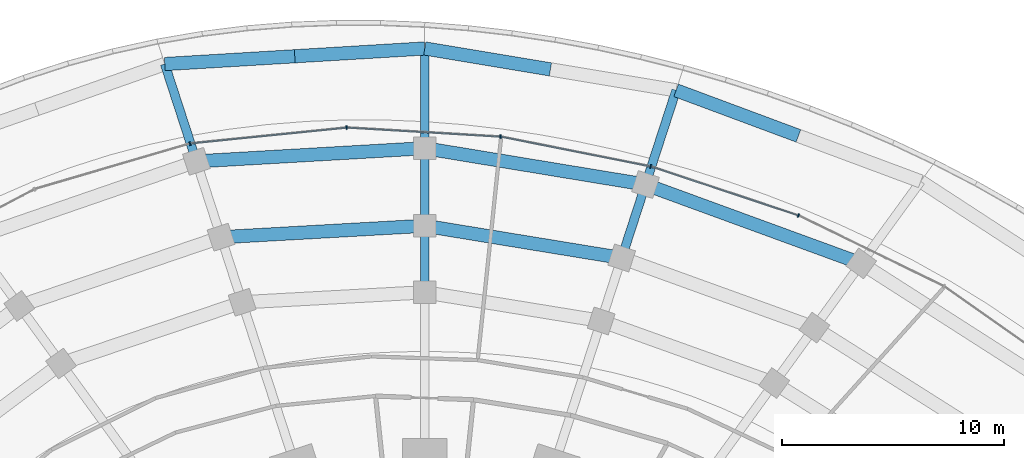
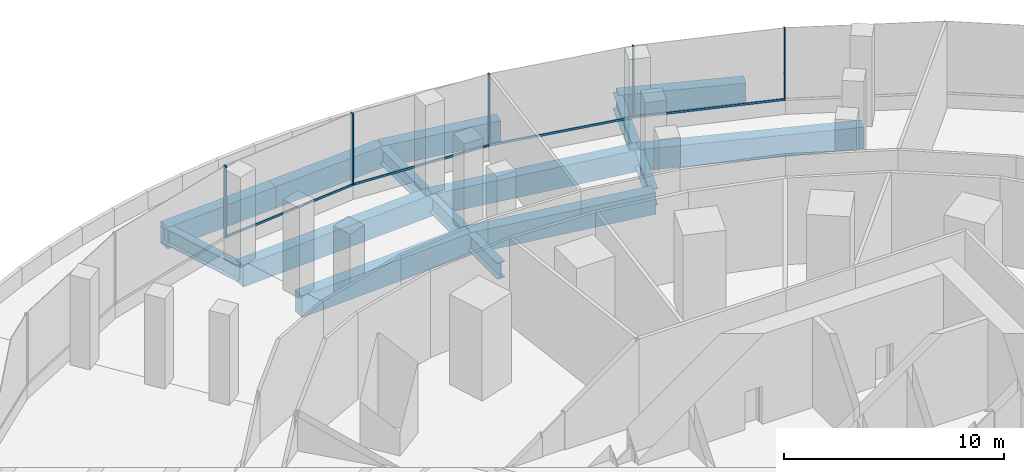
# One storey, part 17 of 31: 15 beams, 9 members, 1 element without a shape of its own.
"""IFC4 building model written with IfcOpenShell, lengths in metres."""

from ifc_helpers import new_model, si_unit, direction, frame, origin, origin_2d, place, context, subcontext, project, spatial, rectangle, i_section, extrude, material, material_profile, profile_set, type_object, element, aggregate, save


model = new_model("IFC4")

# Units and contexts
model_context = context("Model", 3, precision=1e-05, world=origin(), true_north=direction((0.0, 1.0)))
body_context = subcontext(model_context, "Body", "Model", "MODEL_VIEW")
ifc_project = project(units=[si_unit("LENGTHUNIT", "METRE"), si_unit("AREAUNIT", "SQUARE_METRE"), si_unit("VOLUMEUNIT", "CUBIC_METRE"), si_unit("PLANEANGLEUNIT", "RADIAN"), si_unit("MASSUNIT", "GRAM", prefix="KILO")], contexts=[model_context])

# Site, building, storey
site_placement = place(None, origin())
site = spatial("IfcSite", under=ifc_project, at=site_placement, CompositionType="ELEMENT")
building_placement = place(site_placement, origin())
building = spatial("IfcBuilding", under=site, at=building_placement, Name="Marramba Exchange Tower", CompositionType="ELEMENT")
storey_placement = place(building_placement, frame((0.0, 0.0, 5.60009765625)))
storey = spatial("IfcBuildingStorey", under=building, at=storey_placement, Name="L01", CompositionType="ELEMENT", Elevation=5.60009765625)

# Beams
ifc_material_1 = material(Name="Concrete N50", Category="concrete")
ifc_material_profile_1 = material_profile(ifc_material_1, rectangle(XDim=0.60009765625, YDim=1.199951171875, at=origin_2d()), Name="RC 600x1200")
ifc_profile_set_1 = profile_set([ifc_material_profile_1], Name="Concrete N50")
beam_type_1 = type_object("IfcBeamType", Name="Edge beam RC 600x1200 N50", PredefinedType="SPANDREL", material=ifc_profile_set_1)
beam_1_placement = place(storey_placement, frame((16.861572265625, 32.857177734375, -0.85009765625), z_axis=(-0.937168261872, 0.348877699115, 0.0), x_axis=(-0.348877699115, -0.937168261872, 0.0)))
element("IfcBeam", 1, at=beam_1_placement, inside=storey, type_object=beam_type_1, Name="Edge beam L01 P0C04 half 2", PredefinedType="SPANDREL", context=body_context, shape_type="SweptSolid", body=[
    extrude(rectangle(XDim=0.60009765625, YDim=1.199951171875, at=origin_2d()), origin(), (0.0, 0.0, 1.0), 5.887939453125),
])
beam_2_placement = place(storey_placement, frame((5.671630859375, 35.855712890625, -0.85009765625), z_axis=(-0.98642030603, 0.164240615717, 0.0), x_axis=(-0.164240615717, -0.98642030603, 0.0)))
element("IfcBeam", 2, at=beam_2_placement, inside=storey, type_object=beam_type_1, Name="Edge beam L01 P0C05 half 2", PredefinedType="SPANDREL", context=body_context, shape_type="SweptSolid", body=[
    extrude(rectangle(XDim=0.60009765625, YDim=1.199951171875, at=origin_2d()), origin(), (0.0, 0.0, 1.0), 5.749755859375),
])
beam_3_placement = place(storey_placement, frame((0.0, 36.800048828125, -0.85009765625), z_axis=(-0.998210307217, -0.05980119201, 0.0), x_axis=(0.05980119201, -0.998210307217, 0.0)))
element("IfcBeam", 3, at=beam_3_placement, inside=storey, type_object=beam_type_1, Name="Edge beam L01 P0C06 half 1", PredefinedType="SPANDREL", context=body_context, shape_type="SweptSolid", body=[
    extrude(rectangle(XDim=0.60009765625, YDim=1.199951171875, at=origin_2d()), origin(), (0.0, 0.0, 1.0), 5.874755859375),
])
beam_4_placement = place(storey_placement, frame((-5.8642578125, 36.44873046875, -0.85009765625), z_axis=(-0.998210455825, -0.059798711375, 0.0), x_axis=(0.059798711375, -0.998210455825, 0.0)))
element("IfcBeam", 4, at=beam_4_placement, inside=storey, type_object=beam_type_1, Name="Edge beam L01 P0C06 half 2", PredefinedType="SPANDREL", context=body_context, shape_type="SweptSolid", body=[
    extrude(rectangle(XDim=0.60009765625, YDim=1.199951171875, at=origin_2d()), origin(), (0.0, 0.0, 1.0), 5.875),
])
beam_5_placement = place(storey_placement, frame((19.691650390625, 27.103271484375, -0.800048828125), z_axis=(-0.939206472346, 0.343352883057, 0.0), x_axis=(-0.343352883057, -0.939206472346, 0.0)))
element("IfcBeam", 5, at=beam_5_placement, inside=storey, type_object=beam_type_1, Name="Edge beam L01 P1C04", PredefinedType="SPANDREL", context=body_context, shape_type="SweptSolid", body=[
    extrude(rectangle(XDim=0.60009765625, YDim=1.199951171875, at=origin_2d()), origin(), (0.0, 0.0, 1.0), 10.359375),
])
beam_6_placement = place(storey_placement, frame((9.962158203125, 30.66015625, -0.800048828125), z_axis=(-0.986720687671, 0.16242624333, 0.0), x_axis=(-0.16242624333, -0.986720687671, 0.0)))
element("IfcBeam", 6, at=beam_6_placement, inside=storey, type_object=beam_type_1, Name="Edge beam L01 P1C05", PredefinedType="SPANDREL", context=body_context, shape_type="SweptSolid", body=[
    extrude(rectangle(XDim=0.60009765625, YDim=1.199951171875, at=origin_2d()), origin(), (0.0, 0.0, 1.0), 10.09619140625),
])
beam_7_placement = place(storey_placement, frame((0.0, 32.300048828125, -0.800048828125), z_axis=(-0.99834326258, -0.057538943873, 0.0), x_axis=(0.057538943873, -0.99834326258, 0.0)))
element("IfcBeam", 7, at=beam_7_placement, inside=storey, type_object=beam_type_1, Name="Edge beam L01 P1C06", PredefinedType="SPANDREL", context=body_context, shape_type="SweptSolid", body=[
    extrude(rectangle(XDim=0.60009765625, YDim=1.199951171875, at=origin_2d()), origin(), (0.0, 0.0, 1.0), 10.319091796875),
])
beam_8_placement = place(storey_placement, frame((8.8857421875, 27.347412109375, -0.800048828125), z_axis=(-0.986899242558, 0.161337797923, 0.0), x_axis=(-0.161337797923, -0.986899242558, 0.0)))
element("IfcBeam", 8, at=beam_8_placement, inside=storey, type_object=beam_type_1, Name="Edge beam L01 P2C05", PredefinedType="SPANDREL", context=body_context, shape_type="SweptSolid", body=[
    extrude(rectangle(XDim=0.60009765625, YDim=1.199951171875, at=origin_2d()), origin(), (0.0, 0.0, 1.0), 9.003662109375),
])
beam_9_placement = place(storey_placement, frame((0.0, 28.800048828125, -0.800048828125), z_axis=(-0.998431244986, -0.055991508598, 0.0), x_axis=(0.055991508598, -0.998431244986, 0.0)))
element("IfcBeam", 9, at=beam_9_placement, inside=storey, type_object=beam_type_1, Name="Edge beam L01 P2C06", PredefinedType="SPANDREL", context=body_context, shape_type="SweptSolid", body=[
    extrude(rectangle(XDim=0.60009765625, YDim=1.199951171875, at=origin_2d()), origin(), (0.0, 0.0, 1.0), 9.20458984375),
])

# Curtain wall, members
ifc_material_2 = material(Name="Aluminium framing, bronze anodised", Category="aluminium")
curtain_wall_type = type_object("IfcCurtainWallType", Name="Podium ribbon curtain wall", PredefinedType="USERDEFINED", material=ifc_material_2)
curtain_wall_placement = place(storey_placement, origin())
curtain_wall = element("IfcCurtainWall", 10, at=curtain_wall_placement, inside=storey, type_object=curtain_wall_type, Name="Curtain wall CW2 L01 F06-F10", ObjectType="RIBBON CURTAIN WALL", PredefinedType="USERDEFINED")
ifc_material_3 = material(Name="Aluminium mullion, bronze anodised", Category="aluminium")
ifc_material_profile_2 = material_profile(ifc_material_3, rectangle(XDim=0.159912109375, YDim=0.06005859375, at=origin_2d()), Name="CW2 mullion 60x160")
ifc_profile_set_2 = profile_set([ifc_material_profile_2], Name="Aluminium mullion, bronze anodised")
member_type_1 = type_object("IfcMemberType", Name="Podium ribbon curtain wall mullion", PredefinedType="MULLION", material=ifc_profile_set_2)
member_1_placement = place(storey_placement, frame((16.86083984375, 29.262451171875, 0.7998046875), z_axis=(0.0, 0.0, 1.0), x_axis=(-0.315474367855, -0.948934098463, 0.0)))
member_1 = element("IfcMember", 11, at=member_1_placement, type_object=member_type_1, Name="CW2 mullion 1", PredefinedType="MULLION", context=body_context, shape_type="SweptSolid", body=[
    extrude(rectangle(XDim=0.159912109375, YDim=0.06005859375, at=origin_2d()), origin(), (0.0, 0.0, 1.0), 4.0),
])
member_2_placement = place(storey_placement, frame((10.1953125, 31.474609375, 0.7998046875), z_axis=(0.0, 0.0, 1.0), x_axis=(-0.195119672541, -0.980779441764, 0.0)))
member_2 = element("IfcMember", 12, at=member_2_placement, type_object=member_type_1, Name="CW2 mullion 1", PredefinedType="MULLION", context=body_context, shape_type="SweptSolid", body=[
    extrude(rectangle(XDim=0.159912109375, YDim=0.06005859375, at=origin_2d()), origin(), (0.0, 0.0, 1.0), 4.0),
])
member_3_placement = place(storey_placement, frame((3.419189453125, 32.818359375, 0.7998046875), z_axis=(0.0, 0.0, 1.0), x_axis=(-0.059317210151, -0.998239184054, 0.0)))
member_3 = element("IfcMember", 13, at=member_3_placement, type_object=member_type_1, Name="CW2 mullion 1", PredefinedType="MULLION", context=body_context, shape_type="SweptSolid", body=[
    extrude(rectangle(XDim=0.159912109375, YDim=0.06005859375, at=origin_2d()), origin(), (0.0, 0.0, 1.0), 4.0),
])
member_4_placement = place(storey_placement, frame((-3.5224609375, 33.22607421875, 0.7998046875), z_axis=(0.0, 0.0, 1.0), x_axis=(0.100505866042, -0.994936465756, 0.0)))
member_4 = element("IfcMember", 14, at=member_4_placement, type_object=member_type_1, Name="CW2 mullion 1", PredefinedType="MULLION", context=body_context, shape_type="SweptSolid", body=[
    extrude(rectangle(XDim=0.159912109375, YDim=0.06005859375, at=origin_2d()), origin(), (0.0, 0.0, 1.0), 4.0),
])
member_5_placement = place(storey_placement, frame((-10.593505859375, 32.50634765625, 0.7998046875), z_axis=(0.0, 0.0, 1.0), x_axis=(0.280940154671, -0.959725288556, 0.0)))
member_5 = element("IfcMember", 15, at=member_5_placement, type_object=member_type_1, Name="CW2 mullion 1", PredefinedType="MULLION", context=body_context, shape_type="SweptSolid", body=[
    extrude(rectangle(XDim=0.159912109375, YDim=0.06005859375, at=origin_2d()), origin(), (0.0, 0.0, 1.0), 4.0),
])
ifc_material_4 = material(Name="Aluminium transom, bronze anodised", Category="aluminium")
ifc_material_profile_3 = material_profile(ifc_material_4, rectangle(XDim=0.06005859375, YDim=0.1201171875, at=origin_2d()), Name="CW2 transom 60x120")
ifc_profile_set_3 = profile_set([ifc_material_profile_3], Name="Aluminium transom, bronze anodised")
member_type_2 = type_object("IfcMemberType", Name="Podium ribbon curtain wall transom", PredefinedType="USERDEFINED", material=ifc_profile_set_3)
member_6_placement = place(storey_placement, frame((16.832275390625, 29.27197265625, 0.829833984375), z_axis=(-0.948928449022, 0.315491360638, 0.0), x_axis=(-0.315491360638, -0.948928449022, 0.0)))
member_6 = element("IfcMember", 16, at=member_6_placement, type_object=member_type_2, Name="CW2 sill transom", ObjectType="TRANSOM", PredefinedType="USERDEFINED", context=body_context, shape_type="SweptSolid", body=[
    extrude(rectangle(XDim=0.06005859375, YDim=0.1201171875, at=origin_2d()), origin(), (0.0, 0.0, 1.0), 6.963134765625),
])
member_7_placement = place(storey_placement, frame((10.166015625, 31.48046875, 0.829833984375), z_axis=(-0.98078171311, 0.195108255156, 0.0), x_axis=(-0.195108255156, -0.98078171311, 0.0)))
member_7 = element("IfcMember", 17, at=member_7_placement, type_object=member_type_2, Name="CW2 sill transom", ObjectType="TRANSOM", PredefinedType="USERDEFINED", context=body_context, shape_type="SweptSolid", body=[
    extrude(rectangle(XDim=0.06005859375, YDim=0.1201171875, at=origin_2d()), origin(), (0.0, 0.0, 1.0), 6.848388671875),
])
member_8_placement = place(storey_placement, frame((3.38916015625, 32.8203125, 0.829833984375), z_axis=(-0.998239023491, 0.05931991217, 0.0), x_axis=(-0.05931991217, -0.998239023491, 0.0)))
member_8 = element("IfcMember", 18, at=member_8_placement, type_object=member_type_2, Name="CW2 sill transom", ObjectType="TRANSOM", PredefinedType="USERDEFINED", context=body_context, shape_type="SweptSolid", body=[
    extrude(rectangle(XDim=0.06005859375, YDim=0.1201171875, at=origin_2d()), origin(), (0.0, 0.0, 1.0), 6.893798828125),
])
member_9_placement = place(storey_placement, frame((-3.55224609375, 33.22314453125, 0.829833984375), z_axis=(-0.994934809742, -0.100522258047, 0.0), x_axis=(0.100522258047, -0.994934809742, 0.0)))
member_9 = element("IfcMember", 19, at=member_9_placement, type_object=member_type_2, Name="CW2 sill transom", ObjectType="TRANSOM", PredefinedType="USERDEFINED", context=body_context, shape_type="SweptSolid", body=[
    extrude(rectangle(XDim=0.06005859375, YDim=0.1201171875, at=origin_2d()), origin(), (0.0, 0.0, 1.0), 7.048095703125),
])
aggregate(curtain_wall, [member_1, member_6, member_2, member_7, member_3, member_8, member_4, member_9, member_5])

# Beams
ifc_material_5 = material(Name="Steel AS/NZS 3679.2 grade 300", Category="steel")
ifc_material_profile_4 = material_profile(ifc_material_5, i_section(OverallWidth=0.39990234375, OverallDepth=0.89990234375, WebThickness=0.01611328125, FlangeThickness=0.031982421875, at=origin_2d()), Name="900WB282")
ifc_profile_set_4 = profile_set([ifc_material_profile_4], Name="Steel AS/NZS 3679.2 grade 300")
beam_type_2 = type_object("IfcBeamType", Name="Radial girder 900WB282", PredefinedType="BEAM", material=ifc_profile_set_4)
beam_10_placement = place(storey_placement, frame((11.343505859375, 34.911376953125, -0.7001953125), z_axis=(-0.309025557178, -0.951053734029, 0.0), x_axis=(0.951053734029, -0.309025557178, 0.0)))
element("IfcBeam", 20, at=beam_10_placement, inside=storey, type_object=beam_type_2, Name="Radial girder L01 P0C05", PredefinedType="BEAM", context=body_context, shape_type="SweptSolid", body=[
    extrude(i_section(OverallWidth=0.39990234375, OverallDepth=0.89990234375, WebThickness=0.01611328125, FlangeThickness=0.031982421875, at=origin_2d()), origin(), (0.0, 0.0, 1.0), 4.469970703125),
])
beam_11_placement = place(storey_placement, frame((0.0, 36.800048828125, -0.7001953125), z_axis=(0.0, -1.0, 0.0), x_axis=(1.0, 0.0, 0.0)))
element("IfcBeam", 21, at=beam_11_placement, inside=storey, type_object=beam_type_2, Name="Radial girder L01 P0C06", PredefinedType="BEAM", context=body_context, shape_type="SweptSolid", body=[
    extrude(i_section(OverallWidth=0.39990234375, OverallDepth=0.89990234375, WebThickness=0.01611328125, FlangeThickness=0.031982421875, at=origin_2d()), origin(), (0.0, 0.0, 1.0), 4.5),
])
beam_12_placement = place(storey_placement, frame((-11.728759765625, 36.097412109375, -0.7001953125), z_axis=(0.309016723837, -0.951056604198, 0.0), x_axis=(0.951056604198, 0.309016723837, 0.0)))
element("IfcBeam", 22, at=beam_12_placement, inside=storey, type_object=beam_type_2, Name="Radial girder L01 P0C07", PredefinedType="BEAM", context=body_context, shape_type="SweptSolid", body=[
    extrude(i_section(OverallWidth=0.39990234375, OverallDepth=0.89990234375, WebThickness=0.01611328125, FlangeThickness=0.031982421875, at=origin_2d()), origin(), (0.0, 0.0, 1.0), 4.6171875),
])
beam_13_placement = place(storey_placement, frame((9.962158203125, 30.66015625, -0.650146484375), z_axis=(-0.309027432175, -0.951053124785, 0.0), x_axis=(0.951053124785, -0.309027432175, 0.0)))
element("IfcBeam", 23, at=beam_13_placement, inside=storey, type_object=beam_type_2, Name="Radial girder L01 P1C05", PredefinedType="BEAM", context=body_context, shape_type="SweptSolid", body=[
    extrude(i_section(OverallWidth=0.39990234375, OverallDepth=0.89990234375, WebThickness=0.01611328125, FlangeThickness=0.031982421875, at=origin_2d()), origin(), (0.0, 0.0, 1.0), 3.483154296875),
])
beam_14_placement = place(storey_placement, frame((0.0, 32.300048828125, -0.650146484375), z_axis=(0.0, -1.0, 0.0), x_axis=(1.0, 0.0, 0.0)))
element("IfcBeam", 24, at=beam_14_placement, inside=storey, type_object=beam_type_2, Name="Radial girder L01 P1C06", PredefinedType="BEAM", context=body_context, shape_type="SweptSolid", body=[
    extrude(i_section(OverallWidth=0.39990234375, OverallDepth=0.89990234375, WebThickness=0.01611328125, FlangeThickness=0.031982421875, at=origin_2d()), origin(), (0.0, 0.0, 1.0), 3.5),
])
beam_15_placement = place(storey_placement, frame((0.0, 28.800048828125, -0.650146484375), z_axis=(0.0, -1.0, 0.0), x_axis=(1.0, 0.0, 0.0)))
element("IfcBeam", 25, at=beam_15_placement, inside=storey, type_object=beam_type_2, Name="Radial girder L01 P2C06", PredefinedType="BEAM", context=body_context, shape_type="SweptSolid", body=[
    extrude(i_section(OverallWidth=0.39990234375, OverallDepth=0.89990234375, WebThickness=0.01611328125, FlangeThickness=0.031982421875, at=origin_2d()), origin(), (0.0, 0.0, 1.0), 3.0),
])

save(model, "model.ifc")
